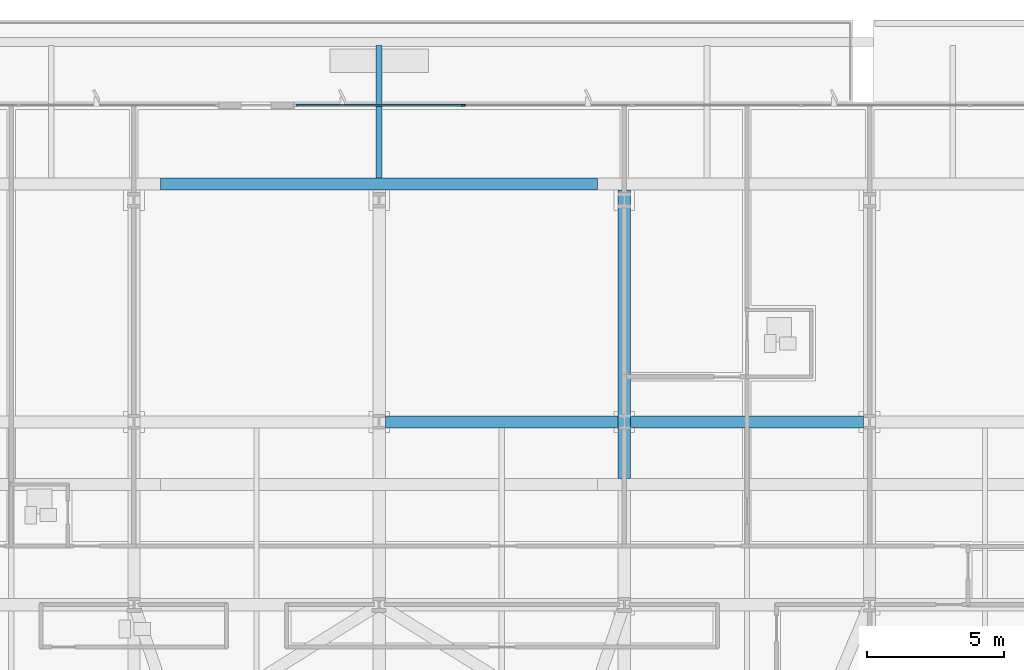
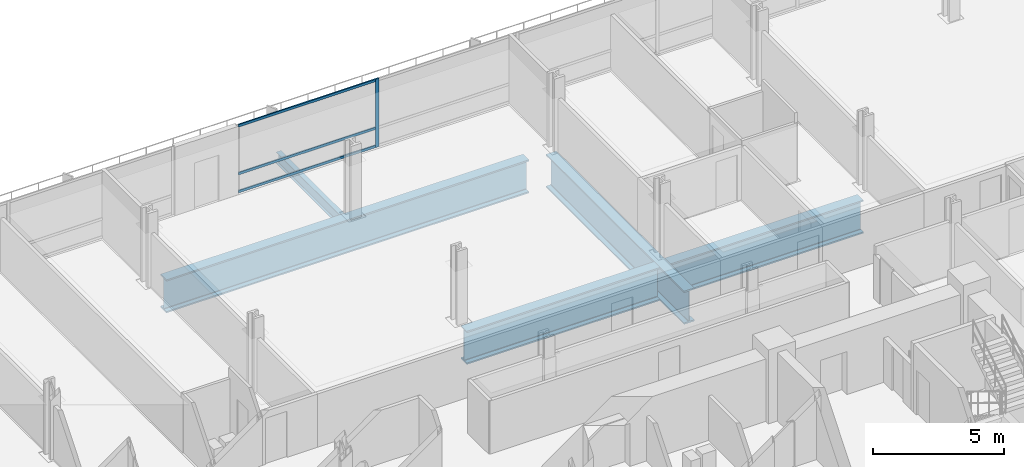
# One storey, part 13 of 25: 5 beams, 4 members, 1 element without a shape of its own.
"""IFC4 building model written with IfcOpenShell, lengths in metres."""

from ifc_helpers import new_model, si_unit, direction, frame, origin, origin_2d, place, context, subcontext, project, spatial, rectangle, i_section, extrude, material, material_profile, profile_set, type_object, element, aggregate, save


model = new_model("IFC4")

# Units and contexts
model_context = context("Model", 3, precision=1e-05, world=origin(), true_north=direction((0.0, 1.0)))
body_context = subcontext(model_context, "Body", "Model", "MODEL_VIEW")
ifc_project = project(units=[si_unit("LENGTHUNIT", "METRE"), si_unit("AREAUNIT", "SQUARE_METRE"), si_unit("VOLUMEUNIT", "CUBIC_METRE"), si_unit("PLANEANGLEUNIT", "RADIAN"), si_unit("MASSUNIT", "GRAM", prefix="KILO")], contexts=[model_context])

# Site, building, storey
site_placement = place(None, origin())
site = spatial("IfcSite", under=ifc_project, at=site_placement, CompositionType="ELEMENT")
building_placement = place(site_placement, origin())
building = spatial("IfcBuilding", under=site, at=building_placement, Name="Solmavex Isthmus Hotel", CompositionType="ELEMENT")
storey_placement = place(building_placement, frame((0.0, 0.0, 26.39990234375)))
storey = spatial("IfcBuildingStorey", under=building, at=storey_placement, Name="L06", CompositionType="ELEMENT", Elevation=26.39990234375)

# Beams
ifc_material_1 = material(Name="Steel ASTM A992 Grade 50", Category="steel")
ifc_material_profile_1 = material_profile(ifc_material_1, i_section(OverallWidth=0.21240234375, OverallDepth=0.544189453125, WebThickness=0.01318359375, FlangeThickness=0.021240234375, FilletRadius=0.013916015625, at=origin_2d()), Name="W21X83")
ifc_profile_set_1 = profile_set([ifc_material_profile_1], Name="Steel ASTM A992 Grade 50")
beam_type_1 = type_object("IfcBeamType", Name="BM-BM-W21X83", PredefinedType="BEAM", material=ifc_profile_set_1)
beam_1_placement = place(storey_placement, frame((0.0, 17.72509765625, -0.72216796875), z_axis=(0.0, 1.0, 0.0), x_axis=(-1.0, 0.0, 0.0)))
element("IfcBeam", 1, at=beam_1_placement, inside=storey, type_object=beam_type_1, Name="Podium Roof Terrace Framing Beam PRN-04", PredefinedType="BEAM", context=body_context, shape_type="SweptSolid", body=[
    extrude(i_section(OverallWidth=0.21240234375, OverallDepth=0.544189453125, WebThickness=0.01318359375, FlangeThickness=0.021240234375, FilletRadius=0.013916015625, at=origin_2d()), origin(), (0.0, 0.0, 1.0), 4.8349609375),
])
ifc_material_2 = material(Name="Steel ASTM A572 Grade 50", Category="steel")
ifc_material_profile_2 = material_profile(ifc_material_2, i_section(OverallWidth=0.449951171875, OverallDepth=1.550048828125, WebThickness=0.031982421875, FlangeThickness=0.06494140625, FilletRadius=0.030517578125, at=origin_2d()), Name="I1550X450")
ifc_profile_set_2 = profile_set([ifc_material_profile_2], Name="Steel ASTM A572 Grade 50")
beam_type_2 = type_object("IfcBeamType", Name="BM-TB-G1550", PredefinedType="BEAM", material=ifc_profile_set_2)
beam_2_placement = place(storey_placement, frame((-8.0, 17.5, -1.224853515625), z_axis=(1.0, 0.0, 0.0), x_axis=(0.0, 1.0, 0.0)))
element("IfcBeam", 2, at=beam_2_placement, inside=storey, type_object=beam_type_2, Name="Podium-to-Tower Mega Transfer Girder L06-MG12", PredefinedType="BEAM", context=body_context, shape_type="SweptSolid", body=[
    extrude(i_section(OverallWidth=0.449951171875, OverallDepth=1.550048828125, WebThickness=0.031982421875, FlangeThickness=0.06494140625, FilletRadius=0.030517578125, at=origin_2d()), origin(), (0.0, 0.0, 1.0), 16.0),
])
beam_3_placement = place(storey_placement, frame((8.97607421875, 6.72509765625, -1.224853515625), z_axis=(0.0, 1.0, 0.0), x_axis=(-1.0, 0.0, 0.0)))
element("IfcBeam", 3, at=beam_3_placement, inside=storey, type_object=beam_type_2, Name="Tower Column Root Transfer Girder L06-MNS5C", PredefinedType="BEAM", context=body_context, shape_type="SweptSolid", body=[
    extrude(i_section(OverallWidth=0.449951171875, OverallDepth=1.550048828125, WebThickness=0.031982421875, FlangeThickness=0.06494140625, FilletRadius=0.030517578125, at=origin_2d()), origin(), (0.0, 0.0, 1.0), 10.5498046875),
])
beam_4_placement = place(storey_placement, frame((0.22509765625, 8.7880859375, -1.224853515625), z_axis=(1.0, 0.0, 0.0), x_axis=(0.0, 1.0, 0.0)))
element("IfcBeam", 4, at=beam_4_placement, inside=storey, type_object=beam_type_2, Name="Outrigger Collector Girder L06-UG16", PredefinedType="BEAM", context=body_context, shape_type="SweptSolid", body=[
    extrude(i_section(OverallWidth=0.449951171875, OverallDepth=1.550048828125, WebThickness=0.031982421875, FlangeThickness=0.06494140625, FilletRadius=0.030517578125, at=origin_2d()), origin(), (0.0, 0.0, 1.0), 8.52587890625),
])
beam_5_placement = place(storey_placement, frame((9.200927734375, 8.7880859375, -1.224853515625), z_axis=(1.0, 0.0, 0.0), x_axis=(0.0, 1.0, 0.0)))
element("IfcBeam", 5, at=beam_5_placement, inside=storey, type_object=beam_type_2, Name="Outrigger Collector Girder L06-UG17", PredefinedType="BEAM", context=body_context, shape_type="SweptSolid", body=[
    extrude(i_section(OverallWidth=0.449951171875, OverallDepth=1.550048828125, WebThickness=0.031982421875, FlangeThickness=0.06494140625, FilletRadius=0.030517578125, at=origin_2d()), origin(), (0.0, 0.0, 1.0), 8.526123046875),
])

# Curtain wall, members
ifc_material_3 = material(Name="Aluminium alloy 6063-T6", Category="aluminium")
curtain_wall_type = type_object("IfcCurtainWallType", Name="CW-SYS-06", PredefinedType="NOTDEFINED", material=ifc_material_3)
curtain_wall_placement = place(storey_placement, origin())
curtain_wall = element("IfcCurtainWall", 6, at=curtain_wall_placement, inside=storey, type_object=curtain_wall_type, Name="Stick Curtain Wall CWL-L06-N2", PredefinedType="NOTDEFINED")
ifc_material_profile_3 = material_profile(ifc_material_3, rectangle(XDim=0.06005859375, YDim=0.139892578125, at=origin_2d()), Name="CWM-60X140")
ifc_profile_set_3 = profile_set([ifc_material_profile_3], Name="Aluminium alloy 6063-T6")
member_type_1 = type_object("IfcMemberType", Name="CW-SYS-06-MUL", PredefinedType="MULLION", material=ifc_profile_set_3)
member_1_placement = place(storey_placement, frame((3.080078125, 20.3798828125, 0.0), z_axis=(0.0, 0.0, 1.0), x_axis=(0.0, 1.0, 0.0)))
member_1 = element("IfcMember", 7, at=member_1_placement, type_object=member_type_1, Name="CW-06 mullion 2", PredefinedType="MULLION", context=body_context, shape_type="SweptSolid", body=[
    extrude(rectangle(XDim=0.06005859375, YDim=0.139892578125, at=origin_2d()), origin(), (0.0, 0.0, 1.0), 3.190185546875),
])
ifc_material_profile_4 = material_profile(ifc_material_3, rectangle(XDim=0.06005859375, YDim=0.114990234375, at=origin_2d()), Name="CWT-60X115")
ifc_profile_set_4 = profile_set([ifc_material_profile_4], Name="Aluminium alloy 6063-T6")
member_type_2 = type_object("IfcMemberType", Name="CW-SYS-06-TRN", PredefinedType="USERDEFINED", material=ifc_profile_set_4)
member_2_placement = place(storey_placement, frame((-3.0400390625, 20.3798828125, 0.0576171875), z_axis=(1.0, 0.0, 0.0), x_axis=(0.0, 1.0, 0.0)))
member_2 = element("IfcMember", 8, at=member_2_placement, type_object=member_type_2, Name="CW-06 transom 1.1", ObjectType="TRANSOM", PredefinedType="USERDEFINED", context=body_context, shape_type="SweptSolid", body=[
    extrude(rectangle(XDim=0.06005859375, YDim=0.114990234375, at=origin_2d()), origin(), (0.0, 0.0, 1.0), 6.090087890625),
])
member_3_placement = place(storey_placement, frame((-3.0400390625, 20.3798828125, 0.900146484375), z_axis=(1.0, 0.0, 0.0), x_axis=(0.0, 1.0, 0.0)))
member_3 = element("IfcMember", 9, at=member_3_placement, type_object=member_type_2, Name="CW-06 transom 1.2", ObjectType="TRANSOM", PredefinedType="USERDEFINED", context=body_context, shape_type="SweptSolid", body=[
    extrude(rectangle(XDim=0.06005859375, YDim=0.114990234375, at=origin_2d()), origin(), (0.0, 0.0, 1.0), 6.090087890625),
])
member_4_placement = place(storey_placement, frame((-3.0400390625, 20.3798828125, 3.132568359375), z_axis=(1.0, 0.0, 0.0), x_axis=(0.0, 1.0, 0.0)))
member_4 = element("IfcMember", 10, at=member_4_placement, type_object=member_type_2, Name="CW-06 transom 1.3", ObjectType="TRANSOM", PredefinedType="USERDEFINED", context=body_context, shape_type="SweptSolid", body=[
    extrude(rectangle(XDim=0.06005859375, YDim=0.114990234375, at=origin_2d()), origin(), (0.0, 0.0, 1.0), 6.090087890625),
])
aggregate(curtain_wall, [member_1, member_2, member_3, member_4])

save(model, "model.ifc")
